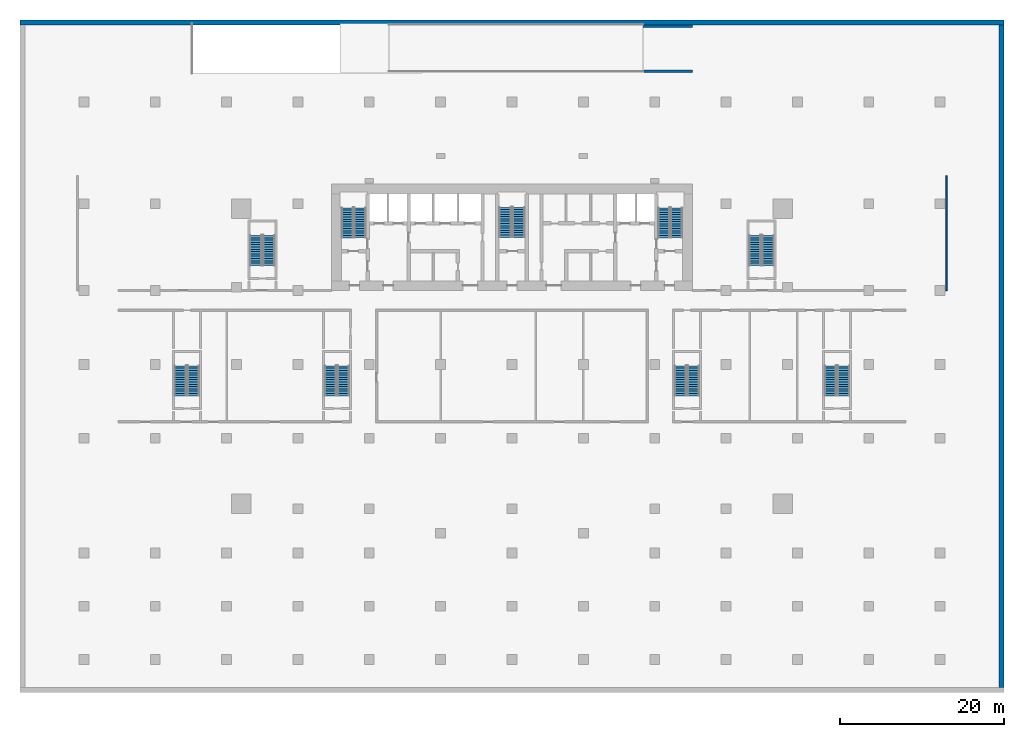
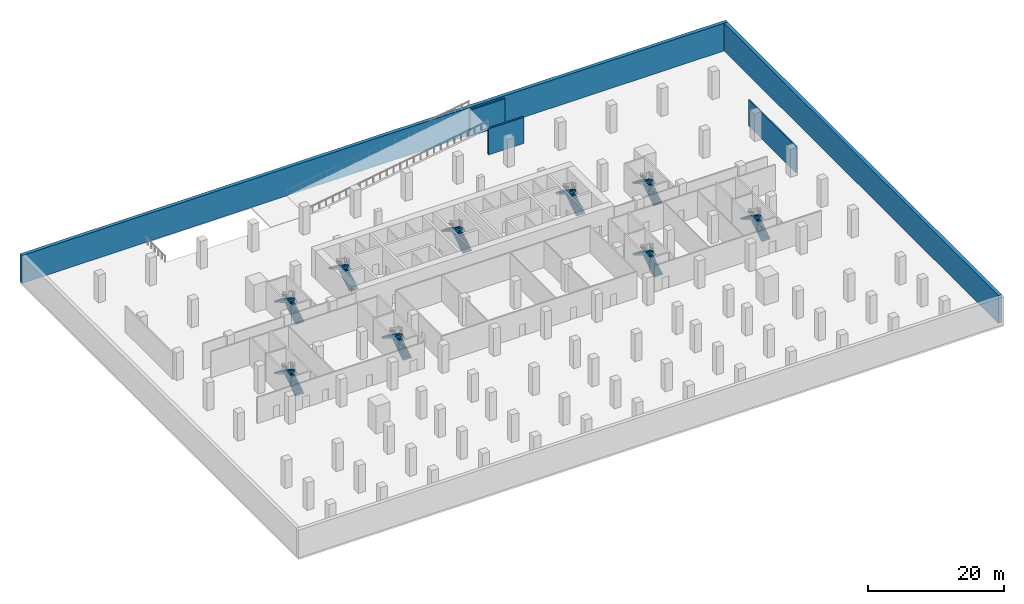
# One storey, part 6 of 8: 18 stair flights, 5 walls, 9 elements without a shape of their own.
"""IFC4 building model written with IfcOpenShell, lengths in metres."""

import ifcopenshell
import ifcopenshell.guid

model = None  # the IFC model being written
_history = None  # IfcOwnerHistory: only IFC2X3 demands one
_inside = {}  # id of a spatial element -> (the spatial element, [elements in it])
_under = {}  # id of a project, library or spatial element -> (it, [spatial elements below it])
_declared = {}  # id of a project -> (the project, [libraries it declares])
_typed = {}  # id of a type object -> (the type object, [elements of that type])
_made_of = {}  # id of a material, layer set ... -> (it, [elements and type objects made of it])


def new_model(schema):
    """Start an empty IFC model of exactly this schema.

    Asked for "IFC4X3", IfcOpenShell would pick the latest addendum, in which some entities
    have other attributes; the version numbers below select the first issue.
    IFC2X3 requires an IfcOwnerHistory on every rooted entity: one is made here for all.
    """
    global model, _history
    if schema == "IFC4X3":
        model = ifcopenshell.file(schema_version=(4, 3, 0, 0))
    else:
        model = ifcopenshell.file(schema=schema)
    _inside.clear()
    _under.clear()
    _declared.clear()
    _typed.clear()
    _made_of.clear()
    _history = None
    if model.schema == "IFC2X3":
        org = make("IfcOrganization", Name="unknown")
        user = make(
            "IfcPersonAndOrganization",
            ThePerson=make("IfcPerson", FamilyName="unknown"),
            TheOrganization=org,
        )
        app = make(
            "IfcApplication",
            ApplicationDeveloper=org,
            Version="unknown",
            ApplicationFullName="unknown",
            ApplicationIdentifier="unknown",
        )
        _history = make(
            "IfcOwnerHistory",
            OwningUser=user,
            OwningApplication=app,
            ChangeAction="ADDED",
            CreationDate=0,
        )
    return model


def make(cls, **values):
    """One entity of the class cls with the attributes given. An attribute that is None is left unset."""
    return model.create_entity(
        cls, **{name: value for name, value in values.items() if value is not None}
    )


def rooted(cls, **values):
    """An entity with a GlobalId (a new one), such as an element, a storey or a relation."""
    return make(cls, GlobalId=ifcopenshell.guid.new(), OwnerHistory=_history, **values)


def si_unit(unit_type, name, prefix=None):
    """IfcSIUnit, for example si_unit("LENGTHUNIT", "METRE", prefix="MILLI")."""
    return make("IfcSIUnit", UnitType=unit_type, Prefix=prefix, Name=name)


def assignment(units):
    """IfcUnitAssignment: the units of a project."""
    return None if units is None else make("IfcUnitAssignment", Units=units)


def point(xyz):
    """IfcCartesianPoint."""
    return None if xyz is None else make("IfcCartesianPoint", Coordinates=xyz)


def direction(xyz):
    """IfcDirection."""
    return None if xyz is None else make("IfcDirection", DirectionRatios=xyz)


def frame(location, z_axis=None, x_axis=None):
    """IfcAxis2Placement3D, a coordinate frame: its origin and axes. An axis left out is left unset."""
    return make(
        "IfcAxis2Placement3D",
        Location=point(location),
        Axis=direction(z_axis),
        RefDirection=direction(x_axis),
    )


def frame_2d(location, x_axis=None):
    """IfcAxis2Placement2D, a coordinate frame in the plane: its origin and x axis."""
    return make(
        "IfcAxis2Placement2D", Location=point(location), RefDirection=direction(x_axis)
    )


def origin():
    """The frame at (0, 0, 0) with its axes left unset."""
    return frame((0.0, 0.0, 0.0))


def place(relative_to, where):
    """IfcLocalPlacement: puts the frame where relative to a parent placement (None: the world)."""
    return make(
        "IfcLocalPlacement", PlacementRelTo=relative_to, RelativePlacement=where
    )


def context(
    kind, dimensions, precision=None, world=None, true_north=None, identifier=None
):
    """IfcGeometricRepresentationContext, for example the 3D "Model" context."""
    return make(
        "IfcGeometricRepresentationContext",
        ContextIdentifier=identifier,
        ContextType=kind,
        CoordinateSpaceDimension=dimensions,
        Precision=precision,
        WorldCoordinateSystem=world,
        TrueNorth=true_north,
    )


def subcontext(parent, identifier, kind, view, scale=None):
    """IfcGeometricRepresentationSubContext, for example "Body" below "Model"."""
    return make(
        "IfcGeometricRepresentationSubContext",
        ContextIdentifier=identifier,
        ContextType=kind,
        ParentContext=parent,
        TargetScale=scale,
        TargetView=view,
    )


def project(units=None, contexts=None):
    """IfcProject with its units and contexts."""
    return rooted(
        "IfcProject",
        Name="project",
        RepresentationContexts=contexts,
        UnitsInContext=assignment(units),
    )


def spatial(cls, under=None, at=None, **own):
    """A site, building, storey or space (cls), placed at a placement, below another one or the project."""
    s = rooted(cls, ObjectPlacement=at, **own)
    if under is not None:
        _under.setdefault(under.id(), (under, []))[1].append(s)
    return s


def polyline(points):
    """IfcPolyline through the points."""
    return make("IfcPolyline", Points=[point(p) for p in points])


def profile(cls, at=None, kind="AREA", **sizes):
    """A parametric profile (cls). Its sizes go by their IFC names, for example OverallWidth=200.0."""
    return make(cls, ProfileType=kind, Position=at, **sizes)


def rectangle(**sizes):
    """IfcRectangleProfileDef."""
    return profile("IfcRectangleProfileDef", **sizes)


def outline(outer, holes=None, kind="AREA"):
    """IfcArbitraryClosedProfileDef: a profile drawn as a closed curve; with holes, ...WithVoids."""
    if holes is None:
        return make("IfcArbitraryClosedProfileDef", ProfileType=kind, OuterCurve=outer)
    return make(
        "IfcArbitraryProfileDefWithVoids",
        ProfileType=kind,
        OuterCurve=outer,
        InnerCurves=holes,
    )


def extrude(swept, where, along, depth):
    """IfcExtrudedAreaSolid: the profile swept, set in the frame where, extruded along a direction by depth."""
    return make(
        "IfcExtrudedAreaSolid",
        SweptArea=swept,
        Position=where,
        ExtrudedDirection=direction(along),
        Depth=depth,
    )


def shape(context_of_items, identifier, shape_type, items):
    """IfcShapeRepresentation: the items that make up one representation, for example the "Body"."""
    return make(
        "IfcShapeRepresentation",
        ContextOfItems=context_of_items,
        RepresentationIdentifier=identifier,
        RepresentationType=shape_type,
        Items=items,
    )


def material(Name=None, Category=None):
    """IfcMaterial."""
    return make("IfcMaterial", Name=Name, Category=Category)


def layer(
    of_material, thickness, ventilated=None, Name=None, Category=None, Priority=None
):
    """IfcMaterialLayer: one layer of a wall or slab, of a material (None: an air gap)."""
    return make(
        "IfcMaterialLayer",
        Material=of_material,
        LayerThickness=thickness,
        IsVentilated=ventilated,
        Name=Name,
        Category=Category,
        Priority=Priority,
    )


def layer_set(layers, Name=None):
    """IfcMaterialLayerSet."""
    return make("IfcMaterialLayerSet", MaterialLayers=layers, LayerSetName=Name)


def layer_usage(for_layer_set, set_direction, sense, offset, extent=None):
    """IfcMaterialLayerSetUsage: how a layer set lies in its element."""
    return make(
        "IfcMaterialLayerSetUsage",
        ForLayerSet=for_layer_set,
        LayerSetDirection=set_direction,
        DirectionSense=sense,
        OffsetFromReferenceLine=offset,
        ReferenceExtent=extent,
    )


def made_of(thing, what):
    """Note that an element or type object is made of a material, layer set ...; save() writes the relation."""
    if what is not None:
        _made_of.setdefault(what.id(), (what, []))[1].append(thing)
    return thing


def type_object(cls, material=None, **own):
    """A type object (cls), such as IfcWallType, which elements share."""
    return made_of(rooted(cls, **own), material)


def element(
    cls,
    number,
    at=None,
    inside=None,
    cuts=None,
    type_object=None,
    material=None,
    context=None,
    identifier="Body",
    shape_type=None,
    held_by="IfcProductDefinitionShape",
    body=None,
    shapes=None,
    **own,
):
    """One element of the class cls, such as IfcWall. Its Tag is "e" and its number.

    at: its placement. inside: the storey or other place that contains it. cuts: it is an
    opening in that element (IfcRelVoidsElement). A single representation is given by context,
    identifier, shape_type and body (its items); several are given by shapes. held_by: the class
    of the entity that holds the representations. save() writes the other relations.
    """
    e = rooted(cls, Tag="e%d" % number, ObjectPlacement=at, **own)
    if body is not None:
        shapes = [shape(context, identifier, shape_type, body)]
    if shapes is not None:
        e.Representation = make(held_by, Representations=shapes)
    if inside is not None:
        _inside.setdefault(inside.id(), (inside, []))[1].append(e)
    if cuts is not None:
        rooted(
            "IfcRelVoidsElement", RelatingBuildingElement=cuts, RelatedOpeningElement=e
        )
    if type_object is not None:
        _typed.setdefault(type_object.id(), (type_object, []))[1].append(e)
    return made_of(e, material)


def aggregate(whole, parts):
    """IfcRelAggregates: a whole, such as a stair, and the parts it consists of."""
    return rooted("IfcRelAggregates", RelatingObject=whole, RelatedObjects=parts)


def save(model, path):
    """Write the relations noted so far, then the file.

    IfcRelAggregates (storeys below a building ...), IfcRelContainedInSpatialStructure (elements
    in a storey), IfcRelDefinesByType, IfcRelAssociatesMaterial and IfcRelDeclares: one each for
    every whole, place, type object, material and project.
    """
    for whole, parts in _under.values():
        aggregate(whole, parts)
    for where, things in _inside.values():
        rooted(
            "IfcRelContainedInSpatialStructure",
            RelatedElements=things,
            RelatingStructure=where,
        )
    for kind, things in _typed.values():
        rooted("IfcRelDefinesByType", RelatedObjects=things, RelatingType=kind)
    for what, things in _made_of.values():
        rooted("IfcRelAssociatesMaterial", RelatedObjects=things, RelatingMaterial=what)
    for by, libraries in _declared.values():
        rooted("IfcRelDeclares", RelatingContext=by, RelatedDefinitions=libraries)
    model.write(path)


model = new_model("IFC4")

# Units and contexts
model_context = context("Model", 3, precision=1e-05, world=origin(), true_north=direction((0.0, 1.0)))
body_context = subcontext(model_context, "Body", "Model", "MODEL_VIEW")
ifc_project = project(units=[si_unit("LENGTHUNIT", "METRE"), si_unit("AREAUNIT", "SQUARE_METRE"), si_unit("VOLUMEUNIT", "CUBIC_METRE"), si_unit("PLANEANGLEUNIT", "RADIAN"), si_unit("MASSUNIT", "GRAM", prefix="KILO")], contexts=[model_context])

# Site, building, storey
site_placement = place(None, origin())
site = spatial("IfcSite", under=ifc_project, at=site_placement, CompositionType="ELEMENT")
building_placement = place(site_placement, origin())
building = spatial("IfcBuilding", under=site, at=building_placement, Name="Bicima Exchange Tower", CompositionType="ELEMENT")
storey_placement = place(building_placement, frame((0.0, 0.0, -10.0)))
storey = spatial("IfcBuildingStorey", under=building, at=storey_placement, Name="B2", CompositionType="ELEMENT", Elevation=-10.0)

# Walls
ifc_material_1 = material(Name="Concrete C40/50", Category="concrete")
ifc_layer_1 = layer(ifc_material_1, 0.60009765625)
ifc_layer_set_1 = layer_set([ifc_layer_1], Name="Concrete C40/50")
wall_type_1 = type_object("IfcWallType", Name="Basement retaining wall 600", PredefinedType="SOLIDWALL", material=ifc_layer_set_1)
wall_1_placement = place(storey_placement, frame((-60.0, 19.699951171875, 0.0), z_axis=(0.0, 0.0, 1.0), x_axis=(1.0, 0.0, 0.0)))
element("IfcWall", 1, at=wall_1_placement, inside=storey, type_object=wall_type_1, Name="Retaining wall north", PredefinedType="SOLIDWALL", context=body_context, shape_type="SweptSolid", body=[
    extrude(rectangle(XDim=120.0, YDim=0.60009765625, at=frame_2d((60.0, 0.0))), origin(), (0.0, 0.0, 1.0), 5.0),
])
wall_2_placement = place(storey_placement, frame((59.699951171875, -61.39990234375, 0.0), z_axis=(0.0, 0.0, 1.0), x_axis=(0.0, 1.0, 0.0)))
element("IfcWall", 2, at=wall_2_placement, inside=storey, type_object=wall_type_1, Name="Retaining wall east", PredefinedType="SOLIDWALL", context=body_context, shape_type="SweptSolid", body=[
    extrude(rectangle(XDim=80.7998046875, YDim=0.60009765625, at=frame_2d((40.39990234375, 0.0))), origin(), (0.0, 0.0, 1.0), 5.0),
])
ifc_material_2 = material(Name="Gypsum board partition")
ifc_layer_2 = layer(ifc_material_2, 0.199951171875)
ifc_layer_set_2 = layer_set([ifc_layer_2], Name="Gypsum board partition")
wall_type_2 = type_object("IfcWallType", Name="Fire-rated gypsum partition 200 EI60", PredefinedType="PARTITIONING", material=ifc_layer_set_2)
wall_3_placement = place(storey_placement, frame((53.0, -13.0, 0.0), z_axis=(0.0, 0.0, 1.0), x_axis=(0.0, 1.0, 0.0)))
element("IfcWall", 3, at=wall_3_placement, inside=storey, type_object=wall_type_2, Name="partition wall 44", PredefinedType="PARTITIONING", context=body_context, shape_type="SweptSolid", body=[
    extrude(rectangle(XDim=14.0, YDim=0.199951171875, at=frame_2d((7.0, 0.0))), origin(), (0.0, 0.0, 1.0), 4.699951171875),
])
ifc_layer_3 = layer(ifc_material_1, 0.3)
ifc_layer_set_3 = layer_set([ifc_layer_3], Name="Concrete C40/50")
ifc_layer_usage = layer_usage(ifc_layer_set_3, "AXIS2", "POSITIVE", -0.15)
wall_type_3 = type_object("IfcWallType", Name="Ramp support wall 300", PredefinedType="SOLIDWALL", material=ifc_layer_set_3)
for number, where, z_axis, x_axis, name in (
    (4, (16.0, 13.75, 0.0), (0.0, 0.0, 1.0), (1.0, 0.0, 0.0), "Ramp pad support wall south 3"),
    (5, (16.0, 19.25, 0.0), (0.0, 0.0, 1.0), (1.0, 0.0, 0.0), "Ramp pad support wall north 3"),
):
    element("IfcWall", number, at=place(storey_placement, frame(where, z_axis=z_axis, x_axis=x_axis)), inside=storey, type_object=wall_type_3, material=ifc_layer_usage, Name=name, PredefinedType="SOLIDWALL", context=body_context, shape_type="SweptSolid", body=[
        extrude(rectangle(XDim=6.0, YDim=0.300048828125, at=frame_2d((3.0, 0.0))), origin(), (0.0, 0.0, 1.0), 4.699951171875),
    ])

# Stair, stair flights
ifc_material_3 = material(Name="Concrete C50/60", Category="concrete")
stair_type_1 = type_object("IfcStairType", Name="Exit stair", PredefinedType="HALF_TURN_STAIR", material=ifc_material_3)
stair_1_placement = place(storey_placement, origin())
stair_1 = element("IfcStair", 6, at=stair_1_placement, inside=storey, type_object=stair_type_1, Name="B2 West exit stair", PredefinedType="HALF_TURN_STAIR")
stair_flight_type_1 = type_object("IfcStairFlightType", Name="Stair flight RC", PredefinedType="STRAIGHT", material=ifc_material_3)
stair_flight_1_placement = place(storey_placement, frame((-18.52490234375, -6.550048828125, 0.0), z_axis=(0.0, 0.0, 1.0), x_axis=(0.0, 1.0, 0.0)))
stair_flight_1 = element("IfcStairFlight", 7, at=stair_flight_1_placement, type_object=stair_flight_type_1, Name="ST-W flight 1", NumberOfRisers=14, NumberOfTreads=13, PredefinedType="STRAIGHT", RiserHeight=0.178571429, TreadLength=0.28, context=body_context, shape_type="SweptSolid", body=[
    extrude(outline(polyline([(0.0, 0.0), (0.0, 0.178466796875), (0.280029296875, 0.178466796875), (0.280029296875, 0.357177734375), (0.56005859375, 0.357177734375), (0.56005859375, 0.53564453125), (0.840087890625, 0.53564453125), (0.840087890625, 0.71435546875), (1.1201171875, 0.71435546875), (1.1201171875, 0.892822265625), (1.39990234375, 0.892822265625), (1.39990234375, 1.071533203125), (1.679931640625, 1.071533203125), (1.679931640625, 1.25), (1.9599609375, 1.25), (1.9599609375, 1.428466796875), (2.239990234375, 1.428466796875), (2.239990234375, 1.607177734375), (2.52001953125, 1.607177734375), (2.52001953125, 1.78564453125), (2.800048828125, 1.78564453125), (2.800048828125, 1.96435546875), (3.080078125, 1.96435546875), (3.080078125, 2.142822265625), (3.360107421875, 2.142822265625), (3.360107421875, 2.321533203125), (3.639892578125, 2.321533203125), (3.639892578125, 2.5), (3.639892578125, 2.1435546875), (0.27880859375, 0.0), (0.0, 0.0)])), frame((0.0, 0.72509765625, 0.0), z_axis=(0.0, -1.0, 0.0), x_axis=(1.0, 0.0, 0.0)), (0.0, 0.0, 1.0), 1.449951171875),
])
stair_flight_2_placement = place(storey_placement, frame((-20.074951171875, -2.909912109375, 2.5), z_axis=(0.0, 0.0, 1.0), x_axis=(0.0, -1.0, 0.0)))
stair_flight_2 = element("IfcStairFlight", 8, at=stair_flight_2_placement, type_object=stair_flight_type_1, Name="ST-W flight 2", NumberOfRisers=14, NumberOfTreads=13, PredefinedType="STRAIGHT", RiserHeight=0.178571429, TreadLength=0.28, context=body_context, shape_type="SweptSolid", body=[
    extrude(outline(polyline([(0.0, 0.0), (0.0, 0.178466796875), (0.280029296875, 0.178466796875), (0.280029296875, 0.357177734375), (0.56005859375, 0.357177734375), (0.56005859375, 0.53564453125), (0.840087890625, 0.53564453125), (0.840087890625, 0.71435546875), (1.1201171875, 0.71435546875), (1.1201171875, 0.892822265625), (1.39990234375, 0.892822265625), (1.39990234375, 1.071533203125), (1.679931640625, 1.071533203125), (1.679931640625, 1.25), (1.9599609375, 1.25), (1.9599609375, 1.428466796875), (2.239990234375, 1.428466796875), (2.239990234375, 1.607177734375), (2.52001953125, 1.607177734375), (2.52001953125, 1.78564453125), (2.800048828125, 1.78564453125), (2.800048828125, 1.96435546875), (3.080078125, 1.96435546875), (3.080078125, 2.142822265625), (3.360107421875, 2.142822265625), (3.360107421875, 2.321533203125), (3.639892578125, 2.321533203125), (3.655029296875, 2.321533203125), (3.655029296875, 1.974609375), (0.27880859375, 0.0), (0.0, 0.0)])), frame((0.0, 0.72509765625, 0.0), z_axis=(0.0, -1.0, 0.0), x_axis=(1.0, 0.0, 0.0)), (0.0, 0.0, 1.0), 1.449951171875),
])
aggregate(stair_1, [stair_flight_1, stair_flight_2])

stair_2_placement = place(storey_placement, origin())
stair_2 = element("IfcStair", 9, at=stair_2_placement, inside=storey, type_object=stair_type_1, Name="B2 East exit stair", PredefinedType="HALF_TURN_STAIR")
stair_flight_3_placement = place(storey_placement, frame((20.074951171875, -6.550048828125, 0.0), z_axis=(0.0, 0.0, 1.0), x_axis=(0.0, 1.0, 0.0)))
stair_flight_3 = element("IfcStairFlight", 10, at=stair_flight_3_placement, type_object=stair_flight_type_1, Name="ST-E flight 1", NumberOfRisers=14, NumberOfTreads=13, PredefinedType="STRAIGHT", RiserHeight=0.178571429, TreadLength=0.28, context=body_context, shape_type="SweptSolid", body=[
    extrude(outline(polyline([(0.0, 0.0), (0.0, 0.178466796875), (0.280029296875, 0.178466796875), (0.280029296875, 0.357177734375), (0.56005859375, 0.357177734375), (0.56005859375, 0.53564453125), (0.840087890625, 0.53564453125), (0.840087890625, 0.71435546875), (1.1201171875, 0.71435546875), (1.1201171875, 0.892822265625), (1.39990234375, 0.892822265625), (1.39990234375, 1.071533203125), (1.679931640625, 1.071533203125), (1.679931640625, 1.25), (1.9599609375, 1.25), (1.9599609375, 1.428466796875), (2.239990234375, 1.428466796875), (2.239990234375, 1.607177734375), (2.52001953125, 1.607177734375), (2.52001953125, 1.78564453125), (2.800048828125, 1.78564453125), (2.800048828125, 1.96435546875), (3.080078125, 1.96435546875), (3.080078125, 2.142822265625), (3.360107421875, 2.142822265625), (3.360107421875, 2.321533203125), (3.639892578125, 2.321533203125), (3.639892578125, 2.5), (3.639892578125, 2.1435546875), (0.27880859375, 0.0), (0.0, 0.0)])), frame((0.0, 0.72509765625, 0.0), z_axis=(0.0, -1.0, 0.0), x_axis=(1.0, 0.0, 0.0)), (0.0, 0.0, 1.0), 1.449951171875),
])
stair_flight_4_placement = place(storey_placement, frame((18.52490234375, -2.909912109375, 2.5), z_axis=(0.0, 0.0, 1.0), x_axis=(0.0, -1.0, 0.0)))
stair_flight_4 = element("IfcStairFlight", 11, at=stair_flight_4_placement, type_object=stair_flight_type_1, Name="ST-E flight 2", NumberOfRisers=14, NumberOfTreads=13, PredefinedType="STRAIGHT", RiserHeight=0.178571429, TreadLength=0.28, context=body_context, shape_type="SweptSolid", body=[
    extrude(outline(polyline([(0.0, 0.0), (0.0, 0.178466796875), (0.280029296875, 0.178466796875), (0.280029296875, 0.357177734375), (0.56005859375, 0.357177734375), (0.56005859375, 0.53564453125), (0.840087890625, 0.53564453125), (0.840087890625, 0.71435546875), (1.1201171875, 0.71435546875), (1.1201171875, 0.892822265625), (1.39990234375, 0.892822265625), (1.39990234375, 1.071533203125), (1.679931640625, 1.071533203125), (1.679931640625, 1.25), (1.9599609375, 1.25), (1.9599609375, 1.428466796875), (2.239990234375, 1.428466796875), (2.239990234375, 1.607177734375), (2.52001953125, 1.607177734375), (2.52001953125, 1.78564453125), (2.800048828125, 1.78564453125), (2.800048828125, 1.96435546875), (3.080078125, 1.96435546875), (3.080078125, 2.142822265625), (3.360107421875, 2.142822265625), (3.360107421875, 2.321533203125), (3.639892578125, 2.321533203125), (3.655029296875, 2.321533203125), (3.655029296875, 1.974609375), (0.27880859375, 0.0), (0.0, 0.0)])), frame((0.0, 0.72509765625, 0.0), z_axis=(0.0, -1.0, 0.0), x_axis=(1.0, 0.0, 0.0)), (0.0, 0.0, 1.0), 1.449951171875),
])
aggregate(stair_2, [stair_flight_3, stair_flight_4])

stair_3_placement = place(storey_placement, origin())
stair_3 = element("IfcStair", 12, at=stair_3_placement, inside=storey, type_object=stair_type_1, Name="B2 West end exit stair", PredefinedType="HALF_TURN_STAIR")
stair_flight_5_placement = place(storey_placement, frame((-29.64990234375, -9.925048828125, 0.0), z_axis=(0.0, 0.0, 1.0), x_axis=(0.0, 1.0, 0.0)))
stair_flight_5 = element("IfcStairFlight", 13, at=stair_flight_5_placement, type_object=stair_flight_type_1, Name="ST-WW flight 1", NumberOfRisers=14, NumberOfTreads=13, PredefinedType="STRAIGHT", RiserHeight=0.178571429, TreadLength=0.28, context=body_context, shape_type="SweptSolid", body=[
    extrude(outline(polyline([(0.0, 0.0), (0.0, 0.178466796875), (0.280029296875, 0.178466796875), (0.280029296875, 0.357177734375), (0.56005859375, 0.357177734375), (0.56005859375, 0.53564453125), (0.840087890625, 0.53564453125), (0.840087890625, 0.71435546875), (1.1201171875, 0.71435546875), (1.1201171875, 0.892822265625), (1.39990234375, 0.892822265625), (1.39990234375, 1.071533203125), (1.679931640625, 1.071533203125), (1.679931640625, 1.25), (1.9599609375, 1.25), (1.9599609375, 1.428466796875), (2.239990234375, 1.428466796875), (2.239990234375, 1.607177734375), (2.52001953125, 1.607177734375), (2.52001953125, 1.78564453125), (2.800048828125, 1.78564453125), (2.800048828125, 1.96435546875), (3.080078125, 1.96435546875), (3.080078125, 2.142822265625), (3.360107421875, 2.142822265625), (3.360107421875, 2.321533203125), (3.639892578125, 2.321533203125), (3.639892578125, 2.5), (3.639892578125, 2.1435546875), (0.27880859375, 0.0), (0.0, 0.0)])), frame((0.0, 0.72509765625, 0.0), z_axis=(0.0, -1.0, 0.0), x_axis=(1.0, 0.0, 0.0)), (0.0, 0.0, 1.0), 1.449951171875),
])
stair_flight_6_placement = place(storey_placement, frame((-31.25, -6.284912109375, 2.5), z_axis=(0.0, 0.0, 1.0), x_axis=(0.0, -1.0, 0.0)))
stair_flight_6 = element("IfcStairFlight", 14, at=stair_flight_6_placement, type_object=stair_flight_type_1, Name="ST-WW flight 2", NumberOfRisers=14, NumberOfTreads=13, PredefinedType="STRAIGHT", RiserHeight=0.178571429, TreadLength=0.28, context=body_context, shape_type="SweptSolid", body=[
    extrude(outline(polyline([(0.0, 0.0), (0.0, 0.178466796875), (0.280029296875, 0.178466796875), (0.280029296875, 0.357177734375), (0.56005859375, 0.357177734375), (0.56005859375, 0.53564453125), (0.840087890625, 0.53564453125), (0.840087890625, 0.71435546875), (1.1201171875, 0.71435546875), (1.1201171875, 0.892822265625), (1.39990234375, 0.892822265625), (1.39990234375, 1.071533203125), (1.679931640625, 1.071533203125), (1.679931640625, 1.25), (1.9599609375, 1.25), (1.9599609375, 1.428466796875), (2.239990234375, 1.428466796875), (2.239990234375, 1.607177734375), (2.52001953125, 1.607177734375), (2.52001953125, 1.78564453125), (2.800048828125, 1.78564453125), (2.800048828125, 1.96435546875), (3.080078125, 1.96435546875), (3.080078125, 2.142822265625), (3.360107421875, 2.142822265625), (3.360107421875, 2.321533203125), (3.639892578125, 2.321533203125), (3.655029296875, 2.321533203125), (3.655029296875, 1.974609375), (0.27880859375, 0.0), (0.0, 0.0)])), frame((0.0, 0.72509765625, 0.0), z_axis=(0.0, -1.0, 0.0), x_axis=(1.0, 0.0, 0.0)), (0.0, 0.0, 1.0), 1.449951171875),
])
aggregate(stair_3, [stair_flight_5, stair_flight_6])

stair_4_placement = place(storey_placement, origin())
stair_4 = element("IfcStair", 15, at=stair_4_placement, inside=storey, type_object=stair_type_1, Name="B2 East end exit stair", PredefinedType="HALF_TURN_STAIR")
stair_flight_7_placement = place(storey_placement, frame((31.25, -9.925048828125, 0.0), z_axis=(0.0, 0.0, 1.0), x_axis=(0.0, 1.0, 0.0)))
stair_flight_7 = element("IfcStairFlight", 16, at=stair_flight_7_placement, type_object=stair_flight_type_1, Name="ST-EE flight 1", NumberOfRisers=14, NumberOfTreads=13, PredefinedType="STRAIGHT", RiserHeight=0.178571429, TreadLength=0.28, context=body_context, shape_type="SweptSolid", body=[
    extrude(outline(polyline([(0.0, 0.0), (0.0, 0.178466796875), (0.280029296875, 0.178466796875), (0.280029296875, 0.357177734375), (0.56005859375, 0.357177734375), (0.56005859375, 0.53564453125), (0.840087890625, 0.53564453125), (0.840087890625, 0.71435546875), (1.1201171875, 0.71435546875), (1.1201171875, 0.892822265625), (1.39990234375, 0.892822265625), (1.39990234375, 1.071533203125), (1.679931640625, 1.071533203125), (1.679931640625, 1.25), (1.9599609375, 1.25), (1.9599609375, 1.428466796875), (2.239990234375, 1.428466796875), (2.239990234375, 1.607177734375), (2.52001953125, 1.607177734375), (2.52001953125, 1.78564453125), (2.800048828125, 1.78564453125), (2.800048828125, 1.96435546875), (3.080078125, 1.96435546875), (3.080078125, 2.142822265625), (3.360107421875, 2.142822265625), (3.360107421875, 2.321533203125), (3.639892578125, 2.321533203125), (3.639892578125, 2.5), (3.639892578125, 2.1435546875), (0.27880859375, 0.0), (0.0, 0.0)])), frame((0.0, 0.72509765625, 0.0), z_axis=(0.0, -1.0, 0.0), x_axis=(1.0, 0.0, 0.0)), (0.0, 0.0, 1.0), 1.449951171875),
])
stair_flight_8_placement = place(storey_placement, frame((29.64990234375, -6.284912109375, 2.5), z_axis=(0.0, 0.0, 1.0), x_axis=(0.0, -1.0, 0.0)))
stair_flight_8 = element("IfcStairFlight", 17, at=stair_flight_8_placement, type_object=stair_flight_type_1, Name="ST-EE flight 2", NumberOfRisers=14, NumberOfTreads=13, PredefinedType="STRAIGHT", RiserHeight=0.178571429, TreadLength=0.28, context=body_context, shape_type="SweptSolid", body=[
    extrude(outline(polyline([(0.0, 0.0), (0.0, 0.178466796875), (0.280029296875, 0.178466796875), (0.280029296875, 0.357177734375), (0.56005859375, 0.357177734375), (0.56005859375, 0.53564453125), (0.840087890625, 0.53564453125), (0.840087890625, 0.71435546875), (1.1201171875, 0.71435546875), (1.1201171875, 0.892822265625), (1.39990234375, 0.892822265625), (1.39990234375, 1.071533203125), (1.679931640625, 1.071533203125), (1.679931640625, 1.25), (1.9599609375, 1.25), (1.9599609375, 1.428466796875), (2.239990234375, 1.428466796875), (2.239990234375, 1.607177734375), (2.52001953125, 1.607177734375), (2.52001953125, 1.78564453125), (2.800048828125, 1.78564453125), (2.800048828125, 1.96435546875), (3.080078125, 1.96435546875), (3.080078125, 2.142822265625), (3.360107421875, 2.142822265625), (3.360107421875, 2.321533203125), (3.639892578125, 2.321533203125), (3.655029296875, 2.321533203125), (3.655029296875, 1.974609375), (0.27880859375, 0.0), (0.0, 0.0)])), frame((0.0, 0.72509765625, 0.0), z_axis=(0.0, -1.0, 0.0), x_axis=(1.0, 0.0, 0.0)), (0.0, 0.0, 1.0), 1.449951171875),
])
aggregate(stair_4, [stair_flight_7, stair_flight_8])

stair_5_placement = place(storey_placement, origin())
stair_5 = element("IfcStair", 18, at=stair_5_placement, inside=storey, type_object=stair_type_1, Name="B2 Podium west stair", PredefinedType="HALF_TURN_STAIR")
stair_flight_9_placement = place(storey_placement, frame((-38.85009765625, -25.824951171875, 0.0), z_axis=(0.0, 0.0, 1.0), x_axis=(0.0, 1.0, 0.0)))
stair_flight_9 = element("IfcStairFlight", 19, at=stair_flight_9_placement, type_object=stair_flight_type_1, Name="PS-W flight 1", NumberOfRisers=14, NumberOfTreads=13, PredefinedType="STRAIGHT", RiserHeight=0.178571429, TreadLength=0.28, context=body_context, shape_type="SweptSolid", body=[
    extrude(outline(polyline([(0.0, 0.0), (0.0, 0.178466796875), (0.280029296875, 0.178466796875), (0.280029296875, 0.357177734375), (0.56005859375, 0.357177734375), (0.56005859375, 0.53564453125), (0.840087890625, 0.53564453125), (0.840087890625, 0.71435546875), (1.1201171875, 0.71435546875), (1.1201171875, 0.892822265625), (1.39990234375, 0.892822265625), (1.39990234375, 1.071533203125), (1.679931640625, 1.071533203125), (1.679931640625, 1.25), (1.9599609375, 1.25), (1.9599609375, 1.428466796875), (2.239990234375, 1.428466796875), (2.239990234375, 1.607177734375), (2.52001953125, 1.607177734375), (2.52001953125, 1.78564453125), (2.800048828125, 1.78564453125), (2.800048828125, 1.96435546875), (3.080078125, 1.96435546875), (3.080078125, 2.142822265625), (3.360107421875, 2.142822265625), (3.360107421875, 2.321533203125), (3.639892578125, 2.321533203125), (3.639892578125, 2.5), (3.639892578125, 2.1435546875), (0.27880859375, 0.0), (0.0, 0.0)])), frame((0.0, 0.72509765625, 0.0), z_axis=(0.0, -1.0, 0.0), x_axis=(1.0, 0.0, 0.0)), (0.0, 0.0, 1.0), 1.449951171875),
])
stair_flight_10_placement = place(storey_placement, frame((-40.449951171875, -22.18505859375, 2.5), z_axis=(0.0, 0.0, 1.0), x_axis=(0.0, -1.0, 0.0)))
stair_flight_10 = element("IfcStairFlight", 20, at=stair_flight_10_placement, type_object=stair_flight_type_1, Name="PS-W flight 2", NumberOfRisers=14, NumberOfTreads=13, PredefinedType="STRAIGHT", RiserHeight=0.178571429, TreadLength=0.28, context=body_context, shape_type="SweptSolid", body=[
    extrude(outline(polyline([(0.0, 0.0), (0.0, 0.178466796875), (0.280029296875, 0.178466796875), (0.280029296875, 0.357177734375), (0.56005859375, 0.357177734375), (0.56005859375, 0.53564453125), (0.840087890625, 0.53564453125), (0.840087890625, 0.71435546875), (1.1201171875, 0.71435546875), (1.1201171875, 0.892822265625), (1.39990234375, 0.892822265625), (1.39990234375, 1.071533203125), (1.679931640625, 1.071533203125), (1.679931640625, 1.25), (1.9599609375, 1.25), (1.9599609375, 1.428466796875), (2.239990234375, 1.428466796875), (2.239990234375, 1.607177734375), (2.52001953125, 1.607177734375), (2.52001953125, 1.78564453125), (2.800048828125, 1.78564453125), (2.800048828125, 1.96435546875), (3.080078125, 1.96435546875), (3.080078125, 2.142822265625), (3.360107421875, 2.142822265625), (3.360107421875, 2.321533203125), (3.639892578125, 2.321533203125), (3.655029296875, 2.321533203125), (3.655029296875, 1.974609375), (0.27880859375, 0.0), (0.0, 0.0)])), frame((0.0, 0.72509765625, 0.0), z_axis=(0.0, -1.0, 0.0), x_axis=(1.0, 0.0, 0.0)), (0.0, 0.0, 1.0), 1.449951171875),
])
aggregate(stair_5, [stair_flight_9, stair_flight_10])

stair_6_placement = place(storey_placement, origin())
stair_6 = element("IfcStair", 21, at=stair_6_placement, inside=storey, type_object=stair_type_1, Name="B2 Podium inner west stair", PredefinedType="HALF_TURN_STAIR")
stair_flight_11_placement = place(storey_placement, frame((-20.550048828125, -25.824951171875, 0.0), z_axis=(0.0, 0.0, 1.0), x_axis=(0.0, 1.0, 0.0)))
stair_flight_11 = element("IfcStairFlight", 22, at=stair_flight_11_placement, type_object=stair_flight_type_1, Name="PS-WI flight 1", NumberOfRisers=14, NumberOfTreads=13, PredefinedType="STRAIGHT", RiserHeight=0.178571429, TreadLength=0.28, context=body_context, shape_type="SweptSolid", body=[
    extrude(outline(polyline([(0.0, 0.0), (0.0, 0.178466796875), (0.280029296875, 0.178466796875), (0.280029296875, 0.357177734375), (0.56005859375, 0.357177734375), (0.56005859375, 0.53564453125), (0.840087890625, 0.53564453125), (0.840087890625, 0.71435546875), (1.1201171875, 0.71435546875), (1.1201171875, 0.892822265625), (1.39990234375, 0.892822265625), (1.39990234375, 1.071533203125), (1.679931640625, 1.071533203125), (1.679931640625, 1.25), (1.9599609375, 1.25), (1.9599609375, 1.428466796875), (2.239990234375, 1.428466796875), (2.239990234375, 1.607177734375), (2.52001953125, 1.607177734375), (2.52001953125, 1.78564453125), (2.800048828125, 1.78564453125), (2.800048828125, 1.96435546875), (3.080078125, 1.96435546875), (3.080078125, 2.142822265625), (3.360107421875, 2.142822265625), (3.360107421875, 2.321533203125), (3.639892578125, 2.321533203125), (3.639892578125, 2.5), (3.639892578125, 2.1435546875), (0.27880859375, 0.0), (0.0, 0.0)])), frame((0.0, 0.72509765625, 0.0), z_axis=(0.0, -1.0, 0.0), x_axis=(1.0, 0.0, 0.0)), (0.0, 0.0, 1.0), 1.449951171875),
])
stair_flight_12_placement = place(storey_placement, frame((-22.14990234375, -22.18505859375, 2.5), z_axis=(0.0, 0.0, 1.0), x_axis=(0.0, -1.0, 0.0)))
stair_flight_12 = element("IfcStairFlight", 23, at=stair_flight_12_placement, type_object=stair_flight_type_1, Name="PS-WI flight 2", NumberOfRisers=14, NumberOfTreads=13, PredefinedType="STRAIGHT", RiserHeight=0.178571429, TreadLength=0.28, context=body_context, shape_type="SweptSolid", body=[
    extrude(outline(polyline([(0.0, 0.0), (0.0, 0.178466796875), (0.280029296875, 0.178466796875), (0.280029296875, 0.357177734375), (0.56005859375, 0.357177734375), (0.56005859375, 0.53564453125), (0.840087890625, 0.53564453125), (0.840087890625, 0.71435546875), (1.1201171875, 0.71435546875), (1.1201171875, 0.892822265625), (1.39990234375, 0.892822265625), (1.39990234375, 1.071533203125), (1.679931640625, 1.071533203125), (1.679931640625, 1.25), (1.9599609375, 1.25), (1.9599609375, 1.428466796875), (2.239990234375, 1.428466796875), (2.239990234375, 1.607177734375), (2.52001953125, 1.607177734375), (2.52001953125, 1.78564453125), (2.800048828125, 1.78564453125), (2.800048828125, 1.96435546875), (3.080078125, 1.96435546875), (3.080078125, 2.142822265625), (3.360107421875, 2.142822265625), (3.360107421875, 2.321533203125), (3.639892578125, 2.321533203125), (3.655029296875, 2.321533203125), (3.655029296875, 1.974609375), (0.27880859375, 0.0), (0.0, 0.0)])), frame((0.0, 0.72509765625, 0.0), z_axis=(0.0, -1.0, 0.0), x_axis=(1.0, 0.0, 0.0)), (0.0, 0.0, 1.0), 1.449951171875),
])
aggregate(stair_6, [stair_flight_11, stair_flight_12])

stair_7_placement = place(storey_placement, origin())
stair_7 = element("IfcStair", 24, at=stair_7_placement, inside=storey, type_object=stair_type_1, Name="B2 Podium inner east stair", PredefinedType="HALF_TURN_STAIR")
stair_flight_13_placement = place(storey_placement, frame((22.14990234375, -25.824951171875, 0.0), z_axis=(0.0, 0.0, 1.0), x_axis=(0.0, 1.0, 0.0)))
stair_flight_13 = element("IfcStairFlight", 25, at=stair_flight_13_placement, type_object=stair_flight_type_1, Name="PS-EI flight 1", NumberOfRisers=14, NumberOfTreads=13, PredefinedType="STRAIGHT", RiserHeight=0.178571429, TreadLength=0.28, context=body_context, shape_type="SweptSolid", body=[
    extrude(outline(polyline([(0.0, 0.0), (0.0, 0.178466796875), (0.280029296875, 0.178466796875), (0.280029296875, 0.357177734375), (0.56005859375, 0.357177734375), (0.56005859375, 0.53564453125), (0.840087890625, 0.53564453125), (0.840087890625, 0.71435546875), (1.1201171875, 0.71435546875), (1.1201171875, 0.892822265625), (1.39990234375, 0.892822265625), (1.39990234375, 1.071533203125), (1.679931640625, 1.071533203125), (1.679931640625, 1.25), (1.9599609375, 1.25), (1.9599609375, 1.428466796875), (2.239990234375, 1.428466796875), (2.239990234375, 1.607177734375), (2.52001953125, 1.607177734375), (2.52001953125, 1.78564453125), (2.800048828125, 1.78564453125), (2.800048828125, 1.96435546875), (3.080078125, 1.96435546875), (3.080078125, 2.142822265625), (3.360107421875, 2.142822265625), (3.360107421875, 2.321533203125), (3.639892578125, 2.321533203125), (3.639892578125, 2.5), (3.639892578125, 2.1435546875), (0.27880859375, 0.0), (0.0, 0.0)])), frame((0.0, 0.72509765625, 0.0), z_axis=(0.0, -1.0, 0.0), x_axis=(1.0, 0.0, 0.0)), (0.0, 0.0, 1.0), 1.449951171875),
])
stair_flight_14_placement = place(storey_placement, frame((20.550048828125, -22.18505859375, 2.5), z_axis=(0.0, 0.0, 1.0), x_axis=(0.0, -1.0, 0.0)))
stair_flight_14 = element("IfcStairFlight", 26, at=stair_flight_14_placement, type_object=stair_flight_type_1, Name="PS-EI flight 2", NumberOfRisers=14, NumberOfTreads=13, PredefinedType="STRAIGHT", RiserHeight=0.178571429, TreadLength=0.28, context=body_context, shape_type="SweptSolid", body=[
    extrude(outline(polyline([(0.0, 0.0), (0.0, 0.178466796875), (0.280029296875, 0.178466796875), (0.280029296875, 0.357177734375), (0.56005859375, 0.357177734375), (0.56005859375, 0.53564453125), (0.840087890625, 0.53564453125), (0.840087890625, 0.71435546875), (1.1201171875, 0.71435546875), (1.1201171875, 0.892822265625), (1.39990234375, 0.892822265625), (1.39990234375, 1.071533203125), (1.679931640625, 1.071533203125), (1.679931640625, 1.25), (1.9599609375, 1.25), (1.9599609375, 1.428466796875), (2.239990234375, 1.428466796875), (2.239990234375, 1.607177734375), (2.52001953125, 1.607177734375), (2.52001953125, 1.78564453125), (2.800048828125, 1.78564453125), (2.800048828125, 1.96435546875), (3.080078125, 1.96435546875), (3.080078125, 2.142822265625), (3.360107421875, 2.142822265625), (3.360107421875, 2.321533203125), (3.639892578125, 2.321533203125), (3.655029296875, 2.321533203125), (3.655029296875, 1.974609375), (0.27880859375, 0.0), (0.0, 0.0)])), frame((0.0, 0.72509765625, 0.0), z_axis=(0.0, -1.0, 0.0), x_axis=(1.0, 0.0, 0.0)), (0.0, 0.0, 1.0), 1.449951171875),
])
aggregate(stair_7, [stair_flight_13, stair_flight_14])

stair_8_placement = place(storey_placement, origin())
stair_8 = element("IfcStair", 27, at=stair_8_placement, inside=storey, type_object=stair_type_1, Name="B2 Podium east stair", PredefinedType="HALF_TURN_STAIR")
stair_flight_15_placement = place(storey_placement, frame((40.449951171875, -25.824951171875, 0.0), z_axis=(0.0, 0.0, 1.0), x_axis=(0.0, 1.0, 0.0)))
stair_flight_15 = element("IfcStairFlight", 28, at=stair_flight_15_placement, type_object=stair_flight_type_1, Name="PS-E flight 1", NumberOfRisers=14, NumberOfTreads=13, PredefinedType="STRAIGHT", RiserHeight=0.178571429, TreadLength=0.28, context=body_context, shape_type="SweptSolid", body=[
    extrude(outline(polyline([(0.0, 0.0), (0.0, 0.178466796875), (0.280029296875, 0.178466796875), (0.280029296875, 0.357177734375), (0.56005859375, 0.357177734375), (0.56005859375, 0.53564453125), (0.840087890625, 0.53564453125), (0.840087890625, 0.71435546875), (1.1201171875, 0.71435546875), (1.1201171875, 0.892822265625), (1.39990234375, 0.892822265625), (1.39990234375, 1.071533203125), (1.679931640625, 1.071533203125), (1.679931640625, 1.25), (1.9599609375, 1.25), (1.9599609375, 1.428466796875), (2.239990234375, 1.428466796875), (2.239990234375, 1.607177734375), (2.52001953125, 1.607177734375), (2.52001953125, 1.78564453125), (2.800048828125, 1.78564453125), (2.800048828125, 1.96435546875), (3.080078125, 1.96435546875), (3.080078125, 2.142822265625), (3.360107421875, 2.142822265625), (3.360107421875, 2.321533203125), (3.639892578125, 2.321533203125), (3.639892578125, 2.5), (3.639892578125, 2.1435546875), (0.27880859375, 0.0), (0.0, 0.0)])), frame((0.0, 0.72509765625, 0.0), z_axis=(0.0, -1.0, 0.0), x_axis=(1.0, 0.0, 0.0)), (0.0, 0.0, 1.0), 1.449951171875),
])
stair_flight_16_placement = place(storey_placement, frame((38.85009765625, -22.18505859375, 2.5), z_axis=(0.0, 0.0, 1.0), x_axis=(0.0, -1.0, 0.0)))
stair_flight_16 = element("IfcStairFlight", 29, at=stair_flight_16_placement, type_object=stair_flight_type_1, Name="PS-E flight 2", NumberOfRisers=14, NumberOfTreads=13, PredefinedType="STRAIGHT", RiserHeight=0.178571429, TreadLength=0.28, context=body_context, shape_type="SweptSolid", body=[
    extrude(outline(polyline([(0.0, 0.0), (0.0, 0.178466796875), (0.280029296875, 0.178466796875), (0.280029296875, 0.357177734375), (0.56005859375, 0.357177734375), (0.56005859375, 0.53564453125), (0.840087890625, 0.53564453125), (0.840087890625, 0.71435546875), (1.1201171875, 0.71435546875), (1.1201171875, 0.892822265625), (1.39990234375, 0.892822265625), (1.39990234375, 1.071533203125), (1.679931640625, 1.071533203125), (1.679931640625, 1.25), (1.9599609375, 1.25), (1.9599609375, 1.428466796875), (2.239990234375, 1.428466796875), (2.239990234375, 1.607177734375), (2.52001953125, 1.607177734375), (2.52001953125, 1.78564453125), (2.800048828125, 1.78564453125), (2.800048828125, 1.96435546875), (3.080078125, 1.96435546875), (3.080078125, 2.142822265625), (3.360107421875, 2.142822265625), (3.360107421875, 2.321533203125), (3.639892578125, 2.321533203125), (3.655029296875, 2.321533203125), (3.655029296875, 1.974609375), (0.27880859375, 0.0), (0.0, 0.0)])), frame((0.0, 0.72509765625, 0.0), z_axis=(0.0, -1.0, 0.0), x_axis=(1.0, 0.0, 0.0)), (0.0, 0.0, 1.0), 1.449951171875),
])
aggregate(stair_8, [stair_flight_15, stair_flight_16])

stair_type_2 = type_object("IfcStairType", Name="Exit stair 1500", PredefinedType="HALF_TURN_STAIR", material=ifc_material_3)
stair_9_placement = place(storey_placement, origin())
stair_9 = element("IfcStair", 30, at=stair_9_placement, inside=storey, type_object=stair_type_2, Name="B2 Central exit stair", PredefinedType="HALF_TURN_STAIR")
stair_flight_type_2 = type_object("IfcStairFlightType", Name="Stair flight RC 1500", PredefinedType="STRAIGHT", material=ifc_material_3)
stair_flight_17_placement = place(storey_placement, frame((0.824951171875, -6.5, 0.0), z_axis=(0.0, 0.0, 1.0), x_axis=(0.0, 1.0, 0.0)))
stair_flight_17 = element("IfcStairFlight", 31, at=stair_flight_17_placement, type_object=stair_flight_type_2, Name="ST-C flight 1", NumberOfRisers=14, NumberOfTreads=13, PredefinedType="STRAIGHT", RiserHeight=0.178571429, TreadLength=0.28, context=body_context, shape_type="SweptSolid", body=[
    extrude(outline(polyline([(0.0, 0.0), (0.0, 0.178466796875), (0.280029296875, 0.178466796875), (0.280029296875, 0.357177734375), (0.56005859375, 0.357177734375), (0.56005859375, 0.53564453125), (0.840087890625, 0.53564453125), (0.840087890625, 0.71435546875), (1.1201171875, 0.71435546875), (1.1201171875, 0.892822265625), (1.39990234375, 0.892822265625), (1.39990234375, 1.071533203125), (1.679931640625, 1.071533203125), (1.679931640625, 1.25), (1.9599609375, 1.25), (1.9599609375, 1.428466796875), (2.239990234375, 1.428466796875), (2.239990234375, 1.607177734375), (2.52001953125, 1.607177734375), (2.52001953125, 1.78564453125), (2.800048828125, 1.78564453125), (2.800048828125, 1.96435546875), (3.080078125, 1.96435546875), (3.080078125, 2.142822265625), (3.360107421875, 2.142822265625), (3.360107421875, 2.321533203125), (3.639892578125, 2.321533203125), (3.639892578125, 2.5), (3.639892578125, 2.1435546875), (0.27880859375, 0.0), (0.0, 0.0)])), frame((0.0, 0.75, 0.0), z_axis=(0.0, -1.0, 0.0), x_axis=(1.0, 0.0, 0.0)), (0.0, 0.0, 1.0), 1.5),
])
stair_flight_18_placement = place(storey_placement, frame((-0.824951171875, -2.860107421875, 2.5), z_axis=(0.0, 0.0, 1.0), x_axis=(0.0, -1.0, 0.0)))
stair_flight_18 = element("IfcStairFlight", 32, at=stair_flight_18_placement, type_object=stair_flight_type_2, Name="ST-C flight 2", NumberOfRisers=14, NumberOfTreads=13, PredefinedType="STRAIGHT", RiserHeight=0.178571429, TreadLength=0.28, context=body_context, shape_type="SweptSolid", body=[
    extrude(outline(polyline([(0.0, 0.0), (0.0, 0.178466796875), (0.280029296875, 0.178466796875), (0.280029296875, 0.357177734375), (0.56005859375, 0.357177734375), (0.56005859375, 0.53564453125), (0.840087890625, 0.53564453125), (0.840087890625, 0.71435546875), (1.1201171875, 0.71435546875), (1.1201171875, 0.892822265625), (1.39990234375, 0.892822265625), (1.39990234375, 1.071533203125), (1.679931640625, 1.071533203125), (1.679931640625, 1.25), (1.9599609375, 1.25), (1.9599609375, 1.428466796875), (2.239990234375, 1.428466796875), (2.239990234375, 1.607177734375), (2.52001953125, 1.607177734375), (2.52001953125, 1.78564453125), (2.800048828125, 1.78564453125), (2.800048828125, 1.96435546875), (3.080078125, 1.96435546875), (3.080078125, 2.142822265625), (3.360107421875, 2.142822265625), (3.360107421875, 2.321533203125), (3.639892578125, 2.321533203125), (3.655029296875, 2.321533203125), (3.655029296875, 1.974609375), (0.27880859375, 0.0), (0.0, 0.0)])), frame((0.0, 0.75, 0.0), z_axis=(0.0, -1.0, 0.0), x_axis=(1.0, 0.0, 0.0)), (0.0, 0.0, 1.0), 1.5),
])
aggregate(stair_9, [stair_flight_17, stair_flight_18])

save(model, "model.ifc")
